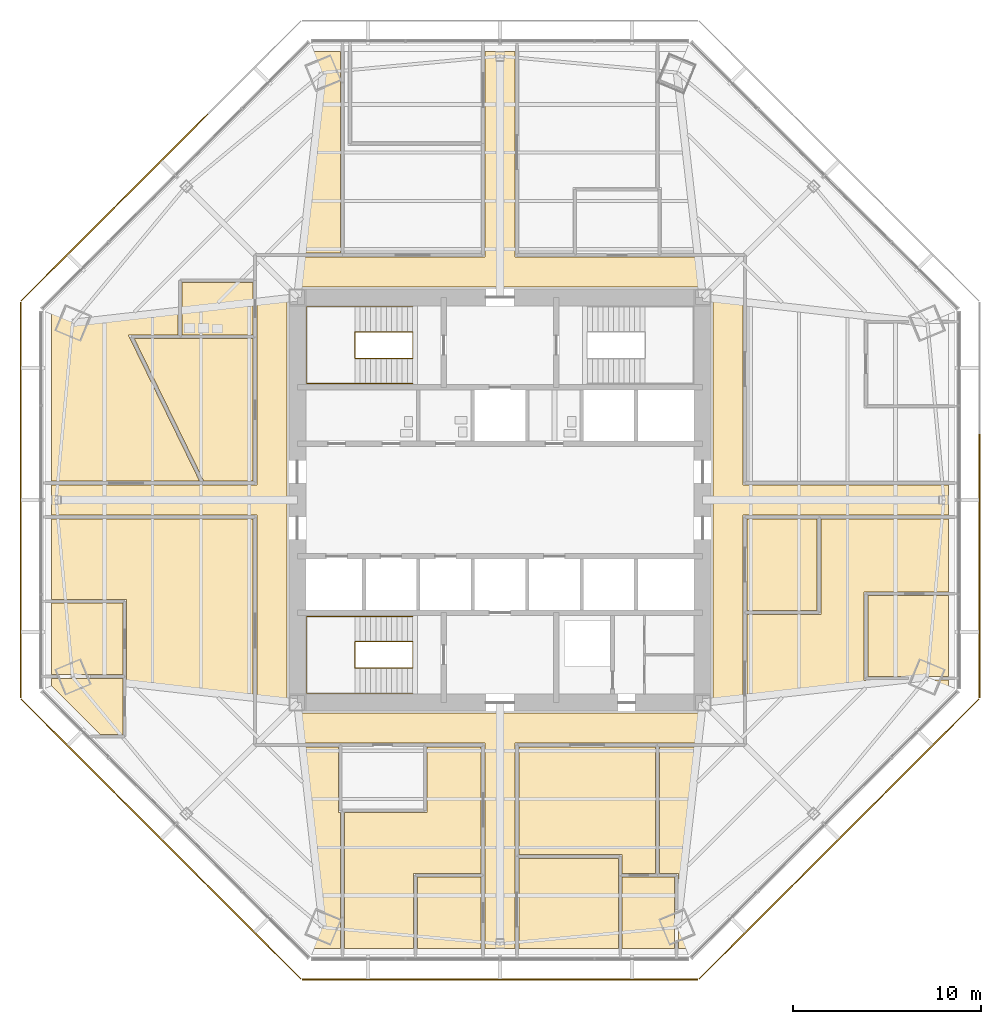
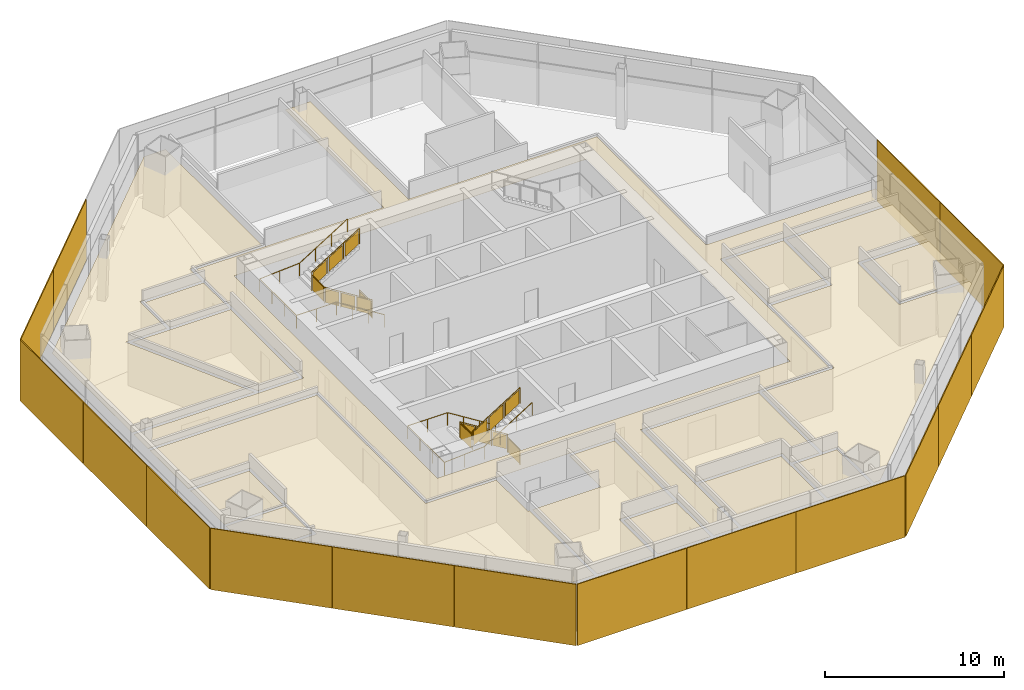
# One storey, part 13 of 15: 16 shading devices, 15 coverings, 4 railings.
"""IFC4 building model written with IfcOpenShell, lengths in metres."""

from ifc_helpers import new_model, si_unit, direction, frame, origin, origin_2d, place, context, subcontext, project, spatial, polyline, rectangle, circle, outline, extrude, source, transform, mapped, material, layer, layer_set, type_object, type_shapes, element, save


model = new_model("IFC4")

# Units and contexts
model_context = context("Model", 3, precision=1e-05, world=origin(), true_north=direction((0.0, 1.0)))
body_context = subcontext(model_context, "Body", "Model", "MODEL_VIEW")
ifc_project = project(units=[si_unit("LENGTHUNIT", "METRE"), si_unit("AREAUNIT", "SQUARE_METRE"), si_unit("VOLUMEUNIT", "CUBIC_METRE"), si_unit("PLANEANGLEUNIT", "RADIAN"), si_unit("MASSUNIT", "GRAM", prefix="KILO")], contexts=[model_context])

# Site, building, storey
site_placement = place(None, origin())
site = spatial("IfcSite", under=ifc_project, at=site_placement, CompositionType="ELEMENT")
building_placement = place(site_placement, origin())
building = spatial("IfcBuilding", under=site, at=building_placement, Name="Mashrafa Tower", CompositionType="ELEMENT")
storey_placement = place(building_placement, frame((0.0, 0.0, 126.0)))
storey = spatial("IfcBuildingStorey", under=building, at=storey_placement, Name="L28", CompositionType="ELEMENT", Elevation=126.0)

# Railings
ifc_material_1 = material(Name="Steel guard with glass infill", Category="steel")
railing_type_1 = type_object("IfcRailingType", Name="Stair guard 1100", PredefinedType="GUARDRAIL", material=ifc_material_1)
railing_1_placement = place(storey_placement, frame((-4.64990234375, 8.949951171875, 0.0)))
element("IfcRailing", 1, at=railing_1_placement, inside=storey, type_object=railing_type_1, Name="Stair S1 guard L28", PredefinedType="GUARDRAIL", context=body_context, shape_type="SweptSolid", body=[
    extrude(circle(Radius=0.02392578125, at=origin_2d()), frame((0.0, 0.0, 1.076171875), z_axis=(0.0, -1.0, 0.0), x_axis=(1.0, 0.0, 0.0)), (0.0, 0.0, 1.0), 1.39990234375),
    extrude(circle(Radius=0.02392578125, at=origin_2d()), frame((0.0, -1.39990234375, 1.076171875), z_axis=(0.0, 0.0, 1.0), x_axis=(1.0, 0.0, 0.0)), (0.0, 0.0, 1.0), 0.175048828125),
    extrude(circle(Radius=0.02392578125, at=origin_2d()), frame((0.0, -1.39990234375, 1.2509765625), z_axis=(-0.847998304005, 0.0, 0.529998940003), x_axis=(0.0, -1.0, 0.0)), (0.0, 0.0, 1.0), 3.632080078125),
    extrude(circle(Radius=0.02392578125, at=origin_2d()), frame((-3.080078125, -1.39990234375, 3.17626953125), z_axis=(0.0, 1.0, 0.0), x_axis=(-1.0, 0.0, 0.0)), (0.0, 0.0, 1.0), 1.39990234375),
    extrude(circle(Radius=0.02392578125, at=origin_2d()), frame((-3.080078125, 0.0, 3.17626953125), z_axis=(0.0, 0.0, 1.0), x_axis=(1.0, 0.0, 0.0)), (0.0, 0.0, 1.0), 0.1748046875),
    extrude(circle(Radius=0.02392578125, at=origin_2d()), frame((-3.080078125, 0.0, 3.35107421875), z_axis=(0.847998304005, 0.0, 0.529998940003), x_axis=(0.0, 1.0, 0.0)), (0.0, 0.0, 1.0), 3.632080078125),
    extrude(circle(Radius=0.02099609375, at=origin_2d()), origin(), (0.0, 0.0, 1.0), 1.052001953125),
    extrude(circle(Radius=0.02099609375, at=origin_2d()), frame((0.0, -1.39990234375, 0.0)), (0.0, 0.0, 1.0), 1.052001953125),
    extrude(circle(Radius=0.02099609375, at=origin_2d()), frame((0.0, -1.39990234375, 0.175048828125)), (0.0, 0.0, 1.0), 1.052001953125),
    extrude(circle(Radius=0.02099609375, at=origin_2d()), frame((-1.026611328125, -1.39990234375, 0.816650390625)), (0.0, 0.0, 1.0), 1.052001953125),
    extrude(circle(Radius=0.02099609375, at=origin_2d()), frame((-2.053466796875, -1.39990234375, 1.45849609375)), (0.0, 0.0, 1.0), 1.052001953125),
    extrude(circle(Radius=0.02099609375, at=origin_2d()), frame((-3.080078125, -1.39990234375, 2.10009765625)), (0.0, 0.0, 1.0), 1.052001953125),
    extrude(circle(Radius=0.02099609375, at=origin_2d()), frame((-3.080078125, 0.0, 2.10009765625)), (0.0, 0.0, 1.0), 1.052001953125),
    extrude(circle(Radius=0.02099609375, at=origin_2d()), frame((-3.080078125, 0.0, 2.27490234375)), (0.0, 0.0, 1.0), 1.052001953125),
    extrude(circle(Radius=0.02099609375, at=origin_2d()), frame((-2.053466796875, 0.0, 2.91650390625)), (0.0, 0.0, 1.0), 1.052001953125),
    extrude(circle(Radius=0.02099609375, at=origin_2d()), frame((-1.026611328125, 0.0, 3.558349609375)), (0.0, 0.0, 1.0), 1.052001953125),
    extrude(circle(Radius=0.02099609375, at=origin_2d()), frame((0.0, 0.0, 4.199951171875)), (0.0, 0.0, 1.0), 1.052001953125),
    extrude(outline(polyline([(0.071044921875, 0.050048828125), (1.328857421875, 0.050048828125), (1.328857421875, 1.001953125), (0.071044921875, 1.001953125), (0.071044921875, 0.050048828125)])), frame((-0.006103515625, 0.0, 0.0), z_axis=(-1.0, 0.0, 0.0), x_axis=(0.0, -1.0, 0.0)), (0.0, 0.0, 1.0), 0.011962890625),
    extrude(outline(polyline([(0.071044921875, 0.094482421875), (0.955810546875, 0.647216796875), (0.955810546875, 1.599365234375), (0.071044921875, 1.04638671875), (0.071044921875, 0.094482421875)])), frame((0.0, -1.393798828125, 0.175048828125), z_axis=(0.0, 1.0, 0.0), x_axis=(-1.0, 0.0, 0.0)), (0.0, 0.0, 1.0), 0.011962890625),
    extrude(outline(polyline([(1.09765625, 0.736083984375), (1.982421875, 1.2890625), (1.982421875, 2.240966796875), (1.09765625, 1.68798828125), (1.09765625, 0.736083984375)])), frame((0.0, -1.393798828125, 0.175048828125), z_axis=(0.0, 1.0, 0.0), x_axis=(-1.0, 0.0, 0.0)), (0.0, 0.0, 1.0), 0.011962890625),
    extrude(outline(polyline([(2.124267578125, 1.377685546875), (3.009033203125, 1.9306640625), (3.009033203125, 2.882568359375), (2.124267578125, 2.329833984375), (2.124267578125, 1.377685546875)])), frame((0.0, -1.393798828125, 0.175048828125), z_axis=(0.0, 1.0, 0.0), x_axis=(-1.0, 0.0, 0.0)), (0.0, 0.0, 1.0), 0.011962890625),
    extrude(outline(polyline([(0.071044921875, 0.050048828125), (1.328857421875, 0.050048828125), (1.328857421875, 1.001953125), (0.071044921875, 1.001953125), (0.071044921875, 0.050048828125)])), frame((-3.073974609375, -1.39990234375, 2.10009765625), z_axis=(1.0, 0.0, 0.0), x_axis=(0.0, 1.0, 0.0)), (0.0, 0.0, 1.0), 0.011962890625),
    extrude(outline(polyline([(0.071044921875, 0.094482421875), (0.955810546875, 0.647216796875), (0.955810546875, 1.599365234375), (0.071044921875, 1.04638671875), (0.071044921875, 0.094482421875)])), frame((-3.080078125, -0.006103515625, 2.27490234375), z_axis=(0.0, -1.0, 0.0), x_axis=(1.0, 0.0, 0.0)), (0.0, 0.0, 1.0), 0.011962890625),
    extrude(outline(polyline([(1.09765625, 0.736083984375), (1.982421875, 1.2890625), (1.982421875, 2.240966796875), (1.09765625, 1.68798828125), (1.09765625, 0.736083984375)])), frame((-3.080078125, -0.006103515625, 2.27490234375), z_axis=(0.0, -1.0, 0.0), x_axis=(1.0, 0.0, 0.0)), (0.0, 0.0, 1.0), 0.011962890625),
    extrude(outline(polyline([(2.124267578125, 1.377685546875), (3.009033203125, 1.9306640625), (3.009033203125, 2.882568359375), (2.124267578125, 2.329833984375), (2.124267578125, 1.377685546875)])), frame((-3.080078125, -0.006103515625, 2.27490234375), z_axis=(0.0, -1.0, 0.0), x_axis=(1.0, 0.0, 0.0)), (0.0, 0.0, 1.0), 0.011962890625),
])
railing_2_placement = place(storey_placement, frame((-4.64990234375, -8.949951171875, 0.0)))
element("IfcRailing", 2, at=railing_2_placement, inside=storey, type_object=railing_type_1, Name="Stair S3 guard L28", PredefinedType="GUARDRAIL", context=body_context, shape_type="SweptSolid", body=[
    extrude(circle(Radius=0.02392578125, at=origin_2d()), frame((0.0, 0.0, 1.076171875), z_axis=(0.0, 1.0, 0.0), x_axis=(-1.0, 0.0, 0.0)), (0.0, 0.0, 1.0), 1.39990234375),
    extrude(circle(Radius=0.02392578125, at=origin_2d()), frame((0.0, 1.39990234375, 1.076171875), z_axis=(0.0, 0.0, 1.0), x_axis=(1.0, 0.0, 0.0)), (0.0, 0.0, 1.0), 0.175048828125),
    extrude(circle(Radius=0.02392578125, at=origin_2d()), frame((0.0, 1.39990234375, 1.2509765625), z_axis=(-0.847998304005, 0.0, 0.529998940003), x_axis=(0.0, -1.0, 0.0)), (0.0, 0.0, 1.0), 3.632080078125),
    extrude(circle(Radius=0.02392578125, at=origin_2d()), frame((-3.080078125, 1.39990234375, 3.17626953125), z_axis=(0.0, -1.0, 0.0), x_axis=(1.0, 0.0, 0.0)), (0.0, 0.0, 1.0), 1.39990234375),
    extrude(circle(Radius=0.02392578125, at=origin_2d()), frame((-3.080078125, 0.0, 3.17626953125), z_axis=(0.0, 0.0, 1.0), x_axis=(1.0, 0.0, 0.0)), (0.0, 0.0, 1.0), 0.1748046875),
    extrude(circle(Radius=0.02392578125, at=origin_2d()), frame((-3.080078125, 0.0, 3.35107421875), z_axis=(0.847998304005, 0.0, 0.529998940003), x_axis=(0.0, 1.0, 0.0)), (0.0, 0.0, 1.0), 3.632080078125),
    extrude(circle(Radius=0.02099609375, at=origin_2d()), origin(), (0.0, 0.0, 1.0), 1.052001953125),
    extrude(circle(Radius=0.02099609375, at=origin_2d()), frame((0.0, 1.39990234375, 0.0)), (0.0, 0.0, 1.0), 1.052001953125),
    extrude(circle(Radius=0.02099609375, at=origin_2d()), frame((0.0, 1.39990234375, 0.175048828125)), (0.0, 0.0, 1.0), 1.052001953125),
    extrude(circle(Radius=0.02099609375, at=origin_2d()), frame((-1.026611328125, 1.39990234375, 0.816650390625)), (0.0, 0.0, 1.0), 1.052001953125),
    extrude(circle(Radius=0.02099609375, at=origin_2d()), frame((-2.053466796875, 1.39990234375, 1.45849609375)), (0.0, 0.0, 1.0), 1.052001953125),
    extrude(circle(Radius=0.02099609375, at=origin_2d()), frame((-3.080078125, 1.39990234375, 2.10009765625)), (0.0, 0.0, 1.0), 1.052001953125),
    extrude(circle(Radius=0.02099609375, at=origin_2d()), frame((-3.080078125, 0.0, 2.10009765625)), (0.0, 0.0, 1.0), 1.052001953125),
    extrude(circle(Radius=0.02099609375, at=origin_2d()), frame((-3.080078125, 0.0, 2.27490234375)), (0.0, 0.0, 1.0), 1.052001953125),
    extrude(circle(Radius=0.02099609375, at=origin_2d()), frame((-2.053466796875, 0.0, 2.91650390625)), (0.0, 0.0, 1.0), 1.052001953125),
    extrude(circle(Radius=0.02099609375, at=origin_2d()), frame((-1.026611328125, 0.0, 3.558349609375)), (0.0, 0.0, 1.0), 1.052001953125),
    extrude(circle(Radius=0.02099609375, at=origin_2d()), frame((0.0, 0.0, 4.199951171875)), (0.0, 0.0, 1.0), 1.052001953125),
    extrude(outline(polyline([(0.071044921875, 0.050048828125), (1.328857421875, 0.050048828125), (1.328857421875, 1.001953125), (0.071044921875, 1.001953125), (0.071044921875, 0.050048828125)])), frame((0.006103515625, 0.0, 0.0), z_axis=(1.0, 0.0, 0.0), x_axis=(0.0, 1.0, 0.0)), (0.0, 0.0, 1.0), 0.011962890625),
    extrude(outline(polyline([(0.071044921875, 0.094482421875), (0.955810546875, 0.647216796875), (0.955810546875, 1.599365234375), (0.071044921875, 1.04638671875), (0.071044921875, 0.094482421875)])), frame((0.0, 1.406005859375, 0.175048828125), z_axis=(0.0, 1.0, 0.0), x_axis=(-1.0, 0.0, 0.0)), (0.0, 0.0, 1.0), 0.011962890625),
    extrude(outline(polyline([(1.09765625, 0.736083984375), (1.982421875, 1.2890625), (1.982421875, 2.240966796875), (1.09765625, 1.68798828125), (1.09765625, 0.736083984375)])), frame((0.0, 1.406005859375, 0.175048828125), z_axis=(0.0, 1.0, 0.0), x_axis=(-1.0, 0.0, 0.0)), (0.0, 0.0, 1.0), 0.011962890625),
    extrude(outline(polyline([(2.124267578125, 1.377685546875), (3.009033203125, 1.9306640625), (3.009033203125, 2.882568359375), (2.124267578125, 2.329833984375), (2.124267578125, 1.377685546875)])), frame((0.0, 1.406005859375, 0.175048828125), z_axis=(0.0, 1.0, 0.0), x_axis=(-1.0, 0.0, 0.0)), (0.0, 0.0, 1.0), 0.011962890625),
    extrude(outline(polyline([(0.071044921875, 0.050048828125), (1.328857421875, 0.050048828125), (1.328857421875, 1.001953125), (0.071044921875, 1.001953125), (0.071044921875, 0.050048828125)])), frame((-3.086181640625, 1.39990234375, 2.10009765625), z_axis=(-1.0, 0.0, 0.0), x_axis=(0.0, -1.0, 0.0)), (0.0, 0.0, 1.0), 0.011962890625),
    extrude(outline(polyline([(0.071044921875, 0.094482421875), (0.955810546875, 0.647216796875), (0.955810546875, 1.599365234375), (0.071044921875, 1.04638671875), (0.071044921875, 0.094482421875)])), frame((-3.080078125, -0.006103515625, 2.27490234375), z_axis=(0.0, -1.0, 0.0), x_axis=(1.0, 0.0, 0.0)), (0.0, 0.0, 1.0), 0.011962890625),
    extrude(outline(polyline([(1.09765625, 0.736083984375), (1.982421875, 1.2890625), (1.982421875, 2.240966796875), (1.09765625, 1.68798828125), (1.09765625, 0.736083984375)])), frame((-3.080078125, -0.006103515625, 2.27490234375), z_axis=(0.0, -1.0, 0.0), x_axis=(1.0, 0.0, 0.0)), (0.0, 0.0, 1.0), 0.011962890625),
    extrude(outline(polyline([(2.124267578125, 1.377685546875), (3.009033203125, 1.9306640625), (3.009033203125, 2.882568359375), (2.124267578125, 2.329833984375), (2.124267578125, 1.377685546875)])), frame((-3.080078125, -0.006103515625, 2.27490234375), z_axis=(0.0, -1.0, 0.0), x_axis=(1.0, 0.0, 0.0)), (0.0, 0.0, 1.0), 0.011962890625),
])
ifc_material_2 = material(Name="Steel", Category="steel")
railing_type_2 = type_object("IfcRailingType", Name="Stair handrail 900", PredefinedType="HANDRAIL", material=ifc_material_2)
railing_3_placement = place(storey_placement, frame((-4.64990234375, 6.199951171875, 0.175048828125)))
element("IfcRailing", 3, at=railing_3_placement, inside=storey, type_object=railing_type_2, Name="Stair S1 handrail L28", PredefinedType="HANDRAIL", context=body_context, shape_type="SweptSolid", body=[
    extrude(circle(Radius=0.02392578125, at=origin_2d()), frame((0.0, 0.0, 0.8759765625), z_axis=(-0.847998304005, 0.0, 0.529998940003), x_axis=(0.0, -1.0, 0.0)), (0.0, 0.0, 1.0), 3.632080078125),
    extrude(circle(Radius=0.02392578125, at=origin_2d()), frame((-3.080078125, 0.0, 2.80078125), z_axis=(-1.0, 0.0, 0.0), x_axis=(0.0, -1.0, 0.0)), (0.0, 0.0, 1.0), 2.570068359375),
    extrude(circle(Radius=0.02392578125, at=origin_2d()), frame((-5.650146484375, 0.0, 2.80078125), z_axis=(0.0, 1.0, 0.0), x_axis=(-1.0, 0.0, 0.0)), (0.0, 0.0, 1.0), 4.10009765625),
    extrude(circle(Radius=0.02392578125, at=origin_2d()), frame((-5.650146484375, 4.10009765625, 2.80078125), z_axis=(0.99769493506, 0.0, 0.067858798661), x_axis=(0.0, 1.0, 0.0)), (0.0, 0.0, 1.0), 2.575927734375),
    extrude(circle(Radius=0.02392578125, at=origin_2d()), frame((-3.080078125, 4.10009765625, 2.9755859375), z_axis=(0.847998304005, 0.0, 0.529998940003), x_axis=(0.0, 1.0, 0.0)), (0.0, 0.0, 1.0), 3.632080078125),
    extrude(circle(Radius=0.02099609375, at=origin_2d()), origin(), (0.0, 0.0, 1.0), 0.851806640625),
    extrude(circle(Radius=0.02099609375, at=origin_2d()), frame((-1.026611328125, 0.0, 0.6416015625)), (0.0, 0.0, 1.0), 0.851806640625),
    extrude(circle(Radius=0.02099609375, at=origin_2d()), frame((-2.053466796875, 0.0, 1.283447265625)), (0.0, 0.0, 1.0), 0.851806640625),
    extrude(circle(Radius=0.02099609375, at=origin_2d()), frame((-3.080078125, 0.0, 1.925048828125)), (0.0, 0.0, 1.0), 0.851806640625),
    extrude(circle(Radius=0.02099609375, at=origin_2d()), frame((-4.365234375, 0.0, 1.925048828125)), (0.0, 0.0, 1.0), 0.851806640625),
    extrude(circle(Radius=0.02099609375, at=origin_2d()), frame((-5.650146484375, 0.0, 1.925048828125)), (0.0, 0.0, 1.0), 0.851806640625),
    extrude(circle(Radius=0.02099609375, at=origin_2d()), frame((-5.650146484375, 1.36669921875, 1.925048828125)), (0.0, 0.0, 1.0), 0.851806640625),
    extrude(circle(Radius=0.02099609375, at=origin_2d()), frame((-5.650146484375, 2.7333984375, 1.925048828125)), (0.0, 0.0, 1.0), 0.851806640625),
    extrude(circle(Radius=0.02099609375, at=origin_2d()), frame((-5.650146484375, 4.10009765625, 1.925048828125)), (0.0, 0.0, 1.0), 0.851806640625),
    extrude(circle(Radius=0.02099609375, at=origin_2d()), frame((-4.365234375, 4.10009765625, 2.012451171875)), (0.0, 0.0, 1.0), 0.851806640625),
    extrude(circle(Radius=0.02099609375, at=origin_2d()), frame((-3.080078125, 4.10009765625, 2.099853515625)), (0.0, 0.0, 1.0), 0.851806640625),
    extrude(circle(Radius=0.02099609375, at=origin_2d()), frame((-2.053466796875, 4.10009765625, 2.741455078125)), (0.0, 0.0, 1.0), 0.851806640625),
    extrude(circle(Radius=0.02099609375, at=origin_2d()), frame((-1.026611328125, 4.10009765625, 3.38330078125)), (0.0, 0.0, 1.0), 0.851806640625),
    extrude(circle(Radius=0.02099609375, at=origin_2d()), frame((0.0, 4.10009765625, 4.02490234375)), (0.0, 0.0, 1.0), 0.851806640625),
])
railing_4_placement = place(storey_placement, frame((-4.64990234375, -6.199951171875, 0.175048828125)))
element("IfcRailing", 4, at=railing_4_placement, inside=storey, type_object=railing_type_2, Name="Stair S3 handrail L28", PredefinedType="HANDRAIL", context=body_context, shape_type="SweptSolid", body=[
    extrude(circle(Radius=0.02392578125, at=origin_2d()), frame((0.0, 0.0, 0.8759765625), z_axis=(-0.847998304005, 0.0, 0.529998940003), x_axis=(0.0, -1.0, 0.0)), (0.0, 0.0, 1.0), 3.632080078125),
    extrude(circle(Radius=0.02392578125, at=origin_2d()), frame((-3.080078125, 0.0, 2.80078125), z_axis=(-1.0, 0.0, 0.0), x_axis=(0.0, -1.0, 0.0)), (0.0, 0.0, 1.0), 2.570068359375),
    extrude(circle(Radius=0.02392578125, at=origin_2d()), frame((-5.650146484375, 0.0, 2.80078125), z_axis=(0.0, -1.0, 0.0), x_axis=(1.0, 0.0, 0.0)), (0.0, 0.0, 1.0), 4.10009765625),
    extrude(circle(Radius=0.02392578125, at=origin_2d()), frame((-5.650146484375, -4.10009765625, 2.80078125), z_axis=(0.99769493506, 0.0, 0.067858798661), x_axis=(0.0, 1.0, 0.0)), (0.0, 0.0, 1.0), 2.575927734375),
    extrude(circle(Radius=0.02392578125, at=origin_2d()), frame((-3.080078125, -4.10009765625, 2.9755859375), z_axis=(0.847998304005, 0.0, 0.529998940003), x_axis=(0.0, 1.0, 0.0)), (0.0, 0.0, 1.0), 3.632080078125),
    extrude(circle(Radius=0.02099609375, at=origin_2d()), origin(), (0.0, 0.0, 1.0), 0.851806640625),
    extrude(circle(Radius=0.02099609375, at=origin_2d()), frame((-1.026611328125, 0.0, 0.6416015625)), (0.0, 0.0, 1.0), 0.851806640625),
    extrude(circle(Radius=0.02099609375, at=origin_2d()), frame((-2.053466796875, 0.0, 1.283447265625)), (0.0, 0.0, 1.0), 0.851806640625),
    extrude(circle(Radius=0.02099609375, at=origin_2d()), frame((-3.080078125, 0.0, 1.925048828125)), (0.0, 0.0, 1.0), 0.851806640625),
    extrude(circle(Radius=0.02099609375, at=origin_2d()), frame((-4.365234375, 0.0, 1.925048828125)), (0.0, 0.0, 1.0), 0.851806640625),
    extrude(circle(Radius=0.02099609375, at=origin_2d()), frame((-5.650146484375, 0.0, 1.925048828125)), (0.0, 0.0, 1.0), 0.851806640625),
    extrude(circle(Radius=0.02099609375, at=origin_2d()), frame((-5.650146484375, -1.36669921875, 1.925048828125)), (0.0, 0.0, 1.0), 0.851806640625),
    extrude(circle(Radius=0.02099609375, at=origin_2d()), frame((-5.650146484375, -2.7333984375, 1.925048828125)), (0.0, 0.0, 1.0), 0.851806640625),
    extrude(circle(Radius=0.02099609375, at=origin_2d()), frame((-5.650146484375, -4.10009765625, 1.925048828125)), (0.0, 0.0, 1.0), 0.851806640625),
    extrude(circle(Radius=0.02099609375, at=origin_2d()), frame((-4.365234375, -4.10009765625, 2.012451171875)), (0.0, 0.0, 1.0), 0.851806640625),
    extrude(circle(Radius=0.02099609375, at=origin_2d()), frame((-3.080078125, -4.10009765625, 2.099853515625)), (0.0, 0.0, 1.0), 0.851806640625),
    extrude(circle(Radius=0.02099609375, at=origin_2d()), frame((-2.053466796875, -4.10009765625, 2.741455078125)), (0.0, 0.0, 1.0), 0.851806640625),
    extrude(circle(Radius=0.02099609375, at=origin_2d()), frame((-1.026611328125, -4.10009765625, 3.38330078125)), (0.0, 0.0, 1.0), 0.851806640625),
    extrude(circle(Radius=0.02099609375, at=origin_2d()), frame((0.0, -4.10009765625, 4.02490234375)), (0.0, 0.0, 1.0), 0.851806640625),
])

# Coverings
ifc_material_3 = material(Name="Mineral fibre tile on suspension grid")
ifc_layer_1 = layer(ifc_material_3, 0.014892578125)
ifc_layer_set_1 = layer_set([ifc_layer_1], Name="Suspended ceiling mineral tile 15")
covering_type = type_object("IfcCoveringType", Name="Suspended ceiling mineral tile 15", PredefinedType="CEILING", material=ifc_layer_set_1)
covering_1_placement = place(storey_placement, frame((0.0, 0.0, 2.89990234375)))
element("IfcCovering", 5, at=covering_1_placement, inside=storey, type_object=covering_type, Name="Ceiling Office Corridor L28", PredefinedType="CEILING", context=body_context, shape_type="SweptSolid", body=[
    extrude(outline(polyline([(-12.949951171875, -12.949951171875), (-12.949951171875, -0.800048828125), (-23.900390625, -0.800048828125), (-23.900390625, 0.800048828125), (-12.949951171875, 0.800048828125), (-12.949951171875, 12.949951171875), (-0.800048828125, 12.949951171875), (-0.800048828125, 23.900390625), (0.800048828125, 23.900390625), (0.800048828125, 12.949951171875), (12.949951171875, 12.949951171875), (12.949951171875, 0.800048828125), (23.900390625, 0.800048828125), (23.900390625, -0.800048828125), (12.949951171875, -0.800048828125), (12.949951171875, -12.949951171875), (0.800048828125, -12.949951171875), (0.800048828125, -23.900390625), (-0.800048828125, -23.900390625), (-0.800048828125, -12.949951171875), (-12.949951171875, -12.949951171875)]), holes=[polyline([(11.35009765625, 11.35009765625), (-11.35009765625, 11.35009765625), (-11.35009765625, -11.35009765625), (11.35009765625, -11.35009765625), (11.35009765625, 11.35009765625)])]), origin(), (0.0, 0.0, 1.0), 0.01513671875),
])
covering_2_placement = place(storey_placement, frame((0.0, 0.0, 2.89990234375)))
element("IfcCovering", 6, at=covering_2_placement, inside=storey, type_object=covering_type, Name="Ceiling Musallah Prayer Room 28", PredefinedType="CEILING", context=body_context, shape_type="SweptSolid", body=[
    extrude(outline(polyline([(-15.783203125, 1.0), (-19.489990234375, 8.60009765625), (-13.14990234375, 8.60009765625), (-13.14990234375, 1.0), (-15.783203125, 1.0)])), origin(), (0.0, 0.0, 1.0), 0.01513671875),
])
covering_3_placement = place(storey_placement, frame((0.0, 0.0, 2.89990234375)))
element("IfcCovering", 7, at=covering_3_placement, inside=storey, type_object=covering_type, Name="Ceiling Ablution Room L28", PredefinedType="CEILING", context=body_context, shape_type="SweptSolid", body=[
    extrude(outline(polyline([(-16.949951171875, 8.800048828125), (-16.949951171875, 11.60009765625), (-13.14990234375, 11.60009765625), (-13.14990234375, 8.800048828125), (-16.949951171875, 8.800048828125)])), origin(), (0.0, 0.0, 1.0), 0.01513671875),
])
covering_4_placement = place(storey_placement, frame((0.0, 0.0, 2.89990234375)))
element("IfcCovering", 8, at=covering_4_placement, inside=storey, type_object=covering_type, Name="Ceiling Reception 28-S", PredefinedType="CEILING", context=body_context, shape_type="SweptSolid", body=[
    extrude(outline(polyline([(13.14990234375, -1.0), (16.89990234375, -1.0), (16.89990234375, -5.89990234375), (13.14990234375, -5.89990234375), (13.14990234375, -1.0)])), origin(), (0.0, 0.0, 1.0), 0.01513671875),
])
covering_5_placement = place(storey_placement, frame((0.0, 0.0, 2.89990234375)))
element("IfcCovering", 9, at=covering_5_placement, inside=storey, type_object=covering_type, Name="Ceiling Meeting Room 28-S-SE1", PredefinedType="CEILING", context=body_context, shape_type="SweptSolid", body=[
    extrude(outline(polyline([(19.600341796875, -5.10009765625), (23.900390625, -5.10009765625), (23.900390625, -9.39990234375), (19.600341796875, -9.39990234375), (19.600341796875, -5.10009765625)])), origin(), (0.0, 0.0, 1.0), 0.01513671875),
])
covering_6_placement = place(storey_placement, frame((0.0, 0.0, 2.89990234375)))
element("IfcCovering", 10, at=covering_6_placement, inside=storey, type_object=covering_type, Name="Ceiling Training Room 28-S", PredefinedType="CEILING", context=body_context, shape_type="SweptSolid", body=[
    extrude(outline(polyline([(1.0, -19.100341796875), (6.30810546875, -19.100341796875), (6.30810546875, -23.900390625), (1.0, -23.900390625), (1.0, -19.100341796875)])), origin(), (0.0, 0.0, 1.0), 0.01513671875),
])
covering_7_placement = place(storey_placement, frame((0.0, 0.0, 2.89990234375)))
element("IfcCovering", 11, at=covering_7_placement, inside=storey, type_object=covering_type, Name="Ceiling Interview Room 28-S-SE2", PredefinedType="CEILING", context=body_context, shape_type="SweptSolid", body=[
    extrude(outline(polyline([(6.508056640625, -20.100341796875), (9.30810546875, -20.100341796875), (9.30810546875, -23.900390625), (6.508056640625, -23.900390625), (6.508056640625, -20.100341796875)])), origin(), (0.0, 0.0, 1.0), 0.01513671875),
])
covering_8_placement = place(storey_placement, frame((0.0, 0.0, 2.89990234375)))
element("IfcCovering", 12, at=covering_8_placement, inside=storey, type_object=covering_type, Name="Ceiling Huddle Room 28-S", PredefinedType="CEILING", context=body_context, shape_type="SweptSolid", body=[
    extrude(outline(polyline([(-4.39990234375, -20.100341796875), (-1.0, -20.100341796875), (-1.0, -23.900390625), (-4.39990234375, -23.900390625), (-4.39990234375, -20.100341796875)])), origin(), (0.0, 0.0, 1.0), 0.01513671875),
])
covering_9_placement = place(storey_placement, frame((0.0, 0.0, 2.89990234375)))
element("IfcCovering", 13, at=covering_9_placement, inside=storey, type_object=covering_type, Name="Ceiling Office 28-S-SW1-1", PredefinedType="CEILING", context=body_context, shape_type="SweptSolid", body=[
    extrude(outline(polyline([(-20.100341796875, -5.5), (-20.100341796875, -9.30810546875), (-23.900390625, -9.30810546875), (-23.900390625, -5.5), (-20.100341796875, -5.5)])), origin(), (0.0, 0.0, 1.0), 0.01513671875),
])
covering_10_placement = place(storey_placement, frame((0.0, 0.0, 2.89990234375)))
element("IfcCovering", 14, at=covering_10_placement, inside=storey, type_object=covering_type, Name="Ceiling Office 28-S-SW1-2", PredefinedType="CEILING", context=body_context, shape_type="SweptSolid", body=[
    extrude(outline(polyline([(-20.100341796875, -9.508056640625), (-20.100341796875, -12.5), (-21.30029296875, -12.5), (-23.900390625, -9.89990234375), (-23.900390625, -9.508056640625), (-20.100341796875, -9.508056640625)])), origin(), (0.0, 0.0, 1.0), 0.01513671875),
])
covering_11_placement = place(storey_placement, frame((0.0, 0.0, 2.89990234375)))
element("IfcCovering", 15, at=covering_11_placement, inside=storey, type_object=covering_type, Name="Ceiling Office Tenancy 28-N-NW1", PredefinedType="CEILING", context=body_context, shape_type="SweptSolid", body=[
    extrude(outline(polyline([(-23.900390625, 1.0), (-23.900390625, 9.89990234375), (-9.89990234375, 23.900390625), (-8.5, 23.900390625), (-8.5, 13.14990234375), (-13.14990234375, 13.14990234375), (-13.14990234375, 11.800048828125), (-17.14990234375, 11.800048828125), (-17.14990234375, 8.800048828125), (-19.81005859375, 8.800048828125), (-16.005615234375, 1.0), (-23.900390625, 1.0)])), origin(), (0.0, 0.0, 1.0), 0.01513671875),
])
covering_12_placement = place(storey_placement, frame((0.0, 0.0, 2.89990234375)))
element("IfcCovering", 16, at=covering_12_placement, inside=storey, type_object=covering_type, Name="Ceiling Office Tenancy 28-S-SW1", PredefinedType="CEILING", context=body_context, shape_type="SweptSolid", body=[
    extrude(outline(polyline([(-8.5, -23.900390625), (-9.89990234375, -23.900390625), (-21.10009765625, -12.699951171875), (-19.900390625, -12.699951171875), (-19.900390625, -5.300048828125), (-23.900390625, -5.300048828125), (-23.900390625, -1.0), (-13.14990234375, -1.0), (-13.14990234375, -13.14990234375), (-8.60009765625, -13.14990234375), (-8.60009765625, -16.64990234375), (-8.5, -16.64990234375), (-8.5, -23.900390625)])), origin(), (0.0, 0.0, 1.0), 0.01513671875),
])
covering_13_placement = place(storey_placement, frame((0.0, 0.0, 2.89990234375)))
element("IfcCovering", 17, at=covering_13_placement, inside=storey, type_object=covering_type, Name="Ceiling Office Tenancy 28-S-SW2", PredefinedType="CEILING", context=body_context, shape_type="SweptSolid", body=[
    extrude(outline(polyline([(-4.60009765625, -23.900390625), (-8.300048828125, -23.900390625), (-8.300048828125, -16.64990234375), (-3.89990234375, -16.64990234375), (-3.89990234375, -13.14990234375), (-1.0, -13.14990234375), (-1.0, -19.900390625), (-4.60009765625, -19.900390625), (-4.60009765625, -23.900390625)])), origin(), (0.0, 0.0, 1.0), 0.01513671875),
])
covering_14_placement = place(storey_placement, frame((0.0, 0.0, 2.89990234375)))
element("IfcCovering", 18, at=covering_14_placement, inside=storey, type_object=covering_type, Name="Ceiling Office Tenancy 28-S-SE1", PredefinedType="CEILING", context=body_context, shape_type="SweptSolid", body=[
    extrude(outline(polyline([(23.900390625, -1.0), (23.900390625, -4.89990234375), (19.400390625, -4.89990234375), (19.400390625, -9.60009765625), (23.900390625, -9.60009765625), (23.900390625, -9.89990234375), (9.89990234375, -23.900390625), (9.508056640625, -23.900390625), (9.508056640625, -19.900390625), (8.5, -19.900390625), (8.5, -13.14990234375), (13.14990234375, -13.14990234375), (13.14990234375, -6.10009765625), (17.10009765625, -6.10009765625), (17.10009765625, -1.0), (23.900390625, -1.0)])), origin(), (0.0, 0.0, 1.0), 0.01513671875),
])
covering_15_placement = place(storey_placement, frame((0.0, 0.0, 2.89990234375)))
element("IfcCovering", 19, at=covering_15_placement, inside=storey, type_object=covering_type, Name="Ceiling Office Tenancy 28-S-SE2", PredefinedType="CEILING", context=body_context, shape_type="SweptSolid", body=[
    extrude(outline(polyline([(8.300048828125, -13.14990234375), (8.300048828125, -19.900390625), (6.508056640625, -19.900390625), (6.508056640625, -18.900390625), (1.0, -18.900390625), (1.0, -13.14990234375), (8.300048828125, -13.14990234375)])), origin(), (0.0, 0.0, 1.0), 0.01513671875),
])

# Shading devices
ifc_material_4 = material(Name="Perforated aluminium plate, eight-point star pattern", Category="aluminium")
ifc_layer_2 = layer(ifc_material_4, 0.06005859375)
ifc_layer_set_2 = layer_set([ifc_layer_2], Name="Mashrabiya screen panel office zone 2, 40 percent open")
shading_device_type = type_object("IfcShadingDeviceType", Name="Mashrabiya screen panel office zone 2, 40 percent open", PredefinedType="SHUTTER", material=ifc_layer_set_2)
shared_shape = source(origin(), body_context, "Body", "SweptSolid", [
    extrude(rectangle(XDim=7.0205078125, YDim=0.06005859375, at=origin_2d()), origin(), (0.0, 0.0, 1.0), 4.179931640625),
])
type_shapes(shading_device_type, [shared_shape])
for number, where, z_axis, x_axis, name in (
    (20, (25.55029296875, -7.04052734375, -0.14990234375), (0.0, 0.0, 1.0), (0.0, 1.0, 0.0), "Mashrabiya screen L28 east 1"),
    (21, (25.55029296875, 0.0, -0.14990234375), (0.0, 0.0, 1.0), (0.0, 1.0, 0.0), "Mashrabiya screen L28 east 2"),
    (22, (-18.06689453125, 18.06689453125, -0.14990234375), (0.0, 0.0, 1.0), (-0.707106781187, -0.707106781187, 0.0), "Mashrabiya screen L28 north-west 2"),
    (23, (-23.045166015625, 13.08837890625, -0.14990234375), (0.0, 0.0, 1.0), (-0.707106781187, -0.707106781187, 0.0), "Mashrabiya screen L28 north-west 3"),
    (24, (-25.55029296875, 7.04052734375, -0.14990234375), (0.0, 0.0, 1.0), (0.0, -1.0, 0.0), "Mashrabiya screen L28 west 1"),
    (25, (-25.55029296875, 0.0, -0.14990234375), (0.0, 0.0, 1.0), (0.0, -1.0, 0.0), "Mashrabiya screen L28 west 2"),
    (26, (-25.55029296875, -7.04052734375, -0.14990234375), (0.0, 0.0, 1.0), (0.0, -1.0, 0.0), "Mashrabiya screen L28 west 3"),
    (27, (-23.045166015625, -13.08837890625, -0.14990234375), (0.0, 0.0, 1.0), (0.707106781187, -0.707106781187, 0.0), "Mashrabiya screen L28 south-west 1"),
    (28, (-18.06689453125, -18.06689453125, -0.14990234375), (0.0, 0.0, 1.0), (0.707106781187, -0.707106781187, 0.0), "Mashrabiya screen L28 south-west 2"),
    (29, (-13.08837890625, -23.045166015625, -0.14990234375), (0.0, 0.0, 1.0), (0.707106781187, -0.707106781187, 0.0), "Mashrabiya screen L28 south-west 3"),
    (30, (-7.04052734375, -25.55029296875, -0.14990234375), (0.0, 0.0, 1.0), (1.0, 0.0, 0.0), "Mashrabiya screen L28 south 1"),
    (31, (0.0, -25.55029296875, -0.14990234375), (0.0, 0.0, 1.0), (1.0, 0.0, 0.0), "Mashrabiya screen L28 south 2"),
    (32, (7.04052734375, -25.55029296875, -0.14990234375), (0.0, 0.0, 1.0), (1.0, 0.0, 0.0), "Mashrabiya screen L28 south 3"),
    (33, (13.08837890625, -23.045166015625, -0.14990234375), (0.0, 0.0, 1.0), (0.707106781187, 0.707106781187, 0.0), "Mashrabiya screen L28 south-east 1"),
    (34, (18.06689453125, -18.06689453125, -0.14990234375), (0.0, 0.0, 1.0), (0.707106781187, 0.707106781187, 0.0), "Mashrabiya screen L28 south-east 2"),
    (35, (23.045166015625, -13.08837890625, -0.14990234375), (0.0, 0.0, 1.0), (0.707106781187, 0.707106781187, 0.0), "Mashrabiya screen L28 south-east 3"),
):
    element("IfcShadingDevice", number, at=place(storey_placement, frame(where, z_axis=z_axis, x_axis=x_axis)), inside=storey, type_object=shading_device_type, Name=name, PredefinedType="SHUTTER", context=body_context, shape_type="MappedRepresentation", body=[
        mapped(shared_shape, transform((0.0, 0.0, 0.0))),
    ])

save(model, "model.ifc")
